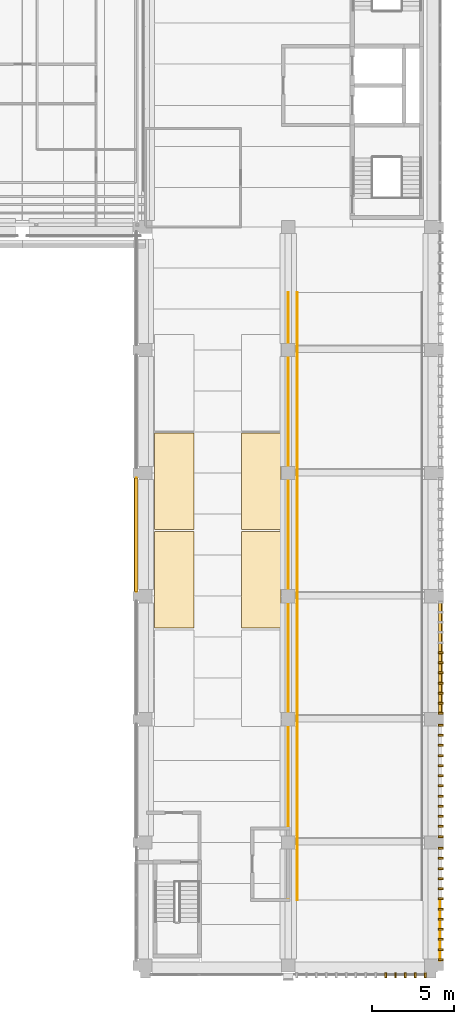
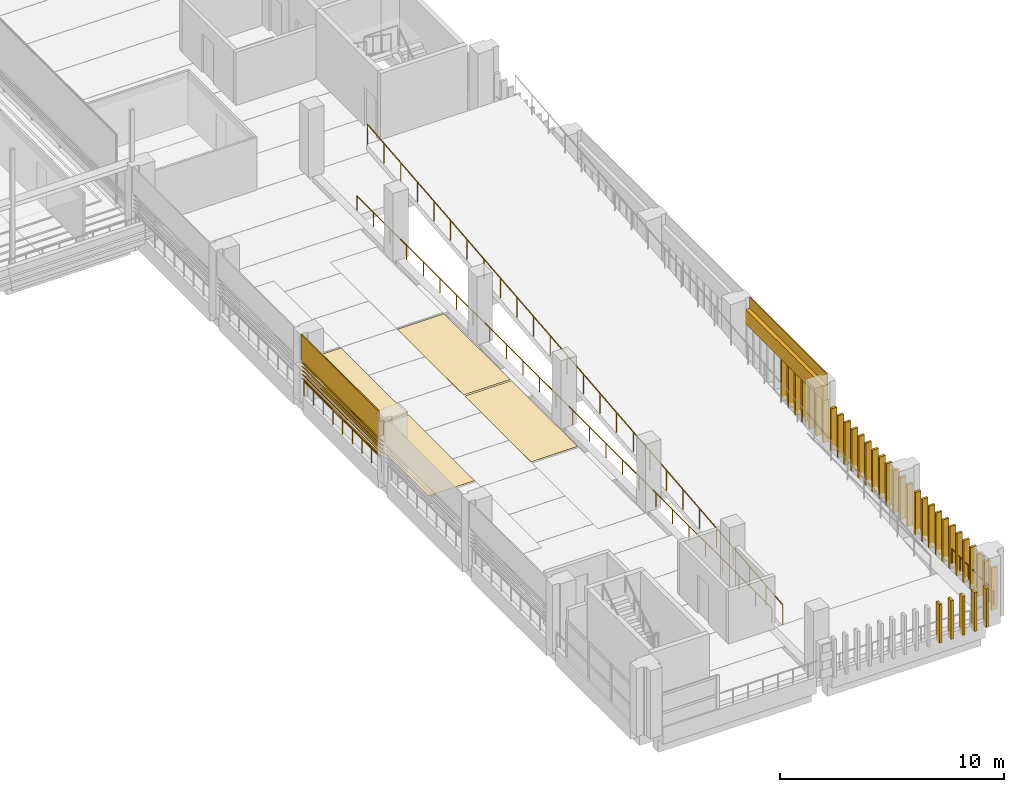
# One storey, part 55 of 62: 42 coverings, 5 shading devices, 4 railings.
"""IFC4 building model written with IfcOpenShell, lengths in metres."""

from ifc_helpers import new_model, si_unit, direction, frame, origin, origin_2d, place, context, subcontext, project, spatial, polyline, circle, outline, extrude, material, layer, layer_set, type_object, element, save


model = new_model("IFC4")

# Units and contexts
model_context = context("Model", 3, precision=1e-05, world=origin(), true_north=direction((0.0, 1.0)))
body_context = subcontext(model_context, "Body", "Model", "MODEL_VIEW")
ifc_project = project(units=[si_unit("LENGTHUNIT", "METRE"), si_unit("AREAUNIT", "SQUARE_METRE"), si_unit("VOLUMEUNIT", "CUBIC_METRE"), si_unit("PLANEANGLEUNIT", "RADIAN"), si_unit("MASSUNIT", "GRAM", prefix="KILO")], contexts=[model_context])

# Site, building, storey
site_placement = place(None, origin())
site = spatial("IfcSite", under=ifc_project, at=site_placement, CompositionType="ELEMENT")
building_placement = place(site_placement, origin())
building = spatial("IfcBuilding", under=site, at=building_placement, Name="Cour d'Honneur Mobility Palace", CompositionType="ELEMENT")
storey_placement = place(building_placement, frame((0.0, 0.0, 19.300048828125)))
storey = spatial("IfcBuildingStorey", under=building, at=storey_placement, Name="L05", CompositionType="ELEMENT", Elevation=19.300048828125)

# Railings
ifc_material_1 = material(Name="Painted steel", Category="steel")
railing_type_1 = type_object("IfcRailingType", Name="Balustrade", PredefinedType="BALUSTRADE", material=ifc_material_1)
railing_1_placement = place(storey_placement, frame((144.35009765625, 29.699951171875, 0.300048828125)))
element("IfcRailing", 1, at=railing_1_placement, inside=storey, type_object=railing_type_1, Name="Balustrade BAL-285", PredefinedType="BALUSTRADE", context=body_context, shape_type="SweptSolid", body=[
    extrude(circle(Radius=0.02392578125, at=origin_2d()), frame((0.0, 0.0, 0.77587890625), z_axis=(0.0, -1.0, 0.0), x_axis=(1.0, 0.0, 0.0)), (0.0, 0.0, 1.0), 6.89990234375),
    extrude(circle(Radius=0.02099609375, at=origin_2d()), origin(), (0.0, 0.0, 1.0), 0.751953125),
    extrude(circle(Radius=0.02099609375, at=origin_2d()), frame((0.0, -0.862548828125, 0.0)), (0.0, 0.0, 1.0), 0.751953125),
    extrude(circle(Radius=0.02099609375, at=origin_2d()), frame((0.0, -1.72509765625, 0.0)), (0.0, 0.0, 1.0), 0.751953125),
    extrude(circle(Radius=0.02099609375, at=origin_2d()), frame((0.0, -2.58740234375, 0.0)), (0.0, 0.0, 1.0), 0.751953125),
    extrude(circle(Radius=0.02099609375, at=origin_2d()), frame((0.0, -3.449951171875, 0.0)), (0.0, 0.0, 1.0), 0.751953125),
    extrude(circle(Radius=0.02099609375, at=origin_2d()), frame((0.0, -4.3125, 0.0)), (0.0, 0.0, 1.0), 0.751953125),
    extrude(circle(Radius=0.02099609375, at=origin_2d()), frame((0.0, -5.1748046875, 0.0)), (0.0, 0.0, 1.0), 0.751953125),
    extrude(circle(Radius=0.02099609375, at=origin_2d()), frame((0.0, -6.037353515625, 0.0)), (0.0, 0.0, 1.0), 0.751953125),
    extrude(circle(Radius=0.02099609375, at=origin_2d()), frame((0.0, -6.89990234375, 0.0)), (0.0, 0.0, 1.0), 0.751953125),
])
railing_2_placement = place(storey_placement, frame((162.85009765625, 0.300048828125, 0.300048828125)))
element("IfcRailing", 2, at=railing_2_placement, inside=storey, type_object=railing_type_1, Name="Balustrade BAL-291", PredefinedType="BALUSTRADE", context=body_context, shape_type="SweptSolid", body=[
    extrude(circle(Radius=0.02392578125, at=origin_2d()), frame((0.0, 0.0, 0.77587890625), z_axis=(0.0, 1.0, 0.0), x_axis=(-1.0, 0.0, 0.0)), (0.0, 0.0, 1.0), 3.699951171875),
    extrude(circle(Radius=0.02099609375, at=origin_2d()), origin(), (0.0, 0.0, 1.0), 0.751953125),
    extrude(circle(Radius=0.02099609375, at=origin_2d()), frame((0.0, 0.739990234375, 0.0)), (0.0, 0.0, 1.0), 0.751953125),
    extrude(circle(Radius=0.02099609375, at=origin_2d()), frame((0.0, 1.47998046875, 0.0)), (0.0, 0.0, 1.0), 0.751953125),
    extrude(circle(Radius=0.02099609375, at=origin_2d()), frame((0.0, 2.219970703125, 0.0)), (0.0, 0.0, 1.0), 0.751953125),
    extrude(circle(Radius=0.02099609375, at=origin_2d()), frame((0.0, 2.9599609375, 0.0)), (0.0, 0.0, 1.0), 0.751953125),
    extrude(circle(Radius=0.02099609375, at=origin_2d()), frame((0.0, 3.699951171875, 0.0)), (0.0, 0.0, 1.0), 0.751953125),
])

# Coverings
ifc_material_2 = material(Name="Parking marking paint")
ifc_layer_1 = layer(ifc_material_2, 0.0048828125)
ifc_layer_set_1 = layer_set([ifc_layer_1], Name="Parking marking paint")
covering_type_1 = type_object("IfcCoveringType", Name="Parking bay marking", PredefinedType="FLOORING", material=ifc_layer_set_1)
covering_1_placement = place(storey_placement, origin())
element("IfcCovering", 3, at=covering_1_placement, inside=storey, type_object=covering_type_1, Name="Parking bay marking L05 2", PredefinedType="FLOORING", context=body_context, shape_type="SweptSolid", body=[
    extrude(outline(polyline([(153.14990234375, 20.550048828125), (150.75, 20.550048828125), (150.75, 26.449951171875), (153.14990234375, 26.449951171875), (153.14990234375, 20.550048828125)])), origin(), (0.0, 0.0, 1.0), 0.0048828125),
])
covering_2_placement = place(storey_placement, origin())
element("IfcCovering", 4, at=covering_2_placement, inside=storey, type_object=covering_type_1, Name="Parking bay marking L05 3", PredefinedType="FLOORING", context=body_context, shape_type="SweptSolid", body=[
    extrude(outline(polyline([(153.14990234375, 26.550048828125), (150.75, 26.550048828125), (150.75, 32.449951171875), (153.14990234375, 32.449951171875), (153.14990234375, 26.550048828125)])), origin(), (0.0, 0.0, 1.0), 0.0048828125),
])
covering_3_placement = place(storey_placement, origin())
element("IfcCovering", 5, at=covering_3_placement, inside=storey, type_object=covering_type_1, Name="Parking bay marking L05 6", PredefinedType="FLOORING", context=body_context, shape_type="SweptSolid", body=[
    extrude(outline(polyline([(147.85009765625, 20.550048828125), (145.449951171875, 20.550048828125), (145.449951171875, 26.449951171875), (147.85009765625, 26.449951171875), (147.85009765625, 20.550048828125)])), origin(), (0.0, 0.0, 1.0), 0.0048828125),
])
covering_4_placement = place(storey_placement, origin())
element("IfcCovering", 6, at=covering_4_placement, inside=storey, type_object=covering_type_1, Name="Parking bay marking L05 7", PredefinedType="FLOORING", context=body_context, shape_type="SweptSolid", body=[
    extrude(outline(polyline([(147.85009765625, 26.550048828125), (145.449951171875, 26.550048828125), (145.449951171875, 32.449951171875), (147.85009765625, 32.449951171875), (147.85009765625, 26.550048828125)])), origin(), (0.0, 0.0, 1.0), 0.0048828125),
])

# Railing
ifc_material_3 = material(Name="Painted steel", Category="steel")
railing_type_2 = type_object("IfcRailingType", Name="Ramp guard 1100", PredefinedType="GUARDRAIL", material=ifc_material_3)
railing_3_placement = place(storey_placement, frame((154.14990234375, 4.0, 0.0)))
element("IfcRailing", 7, at=railing_3_placement, inside=storey, type_object=railing_type_2, Name="Ramp guard Ramp East 6", PredefinedType="GUARDRAIL", context=body_context, shape_type="SweptSolid", body=[
    extrude(circle(Radius=0.02490234375, at=origin_2d()), frame((0.0, 0.0, 1.0751953125), z_axis=(0.0, 0.995037320222, 0.099502418892), x_axis=(-1.0, 0.0, 0.0)), (0.0, 0.0, 1.0), 37.1845703125),
    extrude(circle(Radius=0.02099609375, at=origin_2d()), origin(), (0.0, 0.0, 1.0), 1.050048828125),
    extrude(circle(Radius=0.02099609375, at=origin_2d()), frame((0.0, 1.47998046875, 0.14794921875)), (0.0, 0.0, 1.0), 1.050048828125),
    extrude(circle(Radius=0.02099609375, at=origin_2d()), frame((0.0, 2.9599609375, 0.2958984375)), (0.0, 0.0, 1.0), 1.050048828125),
    extrude(circle(Radius=0.02099609375, at=origin_2d()), frame((0.0, 4.43994140625, 0.444091796875)), (0.0, 0.0, 1.0), 1.050048828125),
    extrude(circle(Radius=0.02099609375, at=origin_2d()), frame((0.0, 5.919921875, 0.592041015625)), (0.0, 0.0, 1.0), 1.050048828125),
    extrude(circle(Radius=0.02099609375, at=origin_2d()), frame((0.0, 7.39990234375, 0.739990234375)), (0.0, 0.0, 1.0), 1.050048828125),
    extrude(circle(Radius=0.02099609375, at=origin_2d()), frame((0.0, 8.8798828125, 0.887939453125)), (0.0, 0.0, 1.0), 1.050048828125),
    extrude(circle(Radius=0.02099609375, at=origin_2d()), frame((0.0, 10.360107421875, 1.035888671875)), (0.0, 0.0, 1.0), 1.050048828125),
    extrude(circle(Radius=0.02099609375, at=origin_2d()), frame((0.0, 11.840087890625, 1.18408203125)), (0.0, 0.0, 1.0), 1.050048828125),
    extrude(circle(Radius=0.02099609375, at=origin_2d()), frame((0.0, 13.320068359375, 1.33203125)), (0.0, 0.0, 1.0), 1.050048828125),
    extrude(circle(Radius=0.02099609375, at=origin_2d()), frame((0.0, 14.800048828125, 1.47998046875)), (0.0, 0.0, 1.0), 1.050048828125),
    extrude(circle(Radius=0.02099609375, at=origin_2d()), frame((0.0, 16.280029296875, 1.6279296875)), (0.0, 0.0, 1.0), 1.050048828125),
    extrude(circle(Radius=0.02099609375, at=origin_2d()), frame((0.0, 17.760009765625, 1.77587890625)), (0.0, 0.0, 1.0), 1.050048828125),
    extrude(circle(Radius=0.02099609375, at=origin_2d()), frame((0.0, 19.239990234375, 1.924072265625)), (0.0, 0.0, 1.0), 1.050048828125),
    extrude(circle(Radius=0.02099609375, at=origin_2d()), frame((0.0, 20.719970703125, 2.072021484375)), (0.0, 0.0, 1.0), 1.050048828125),
    extrude(circle(Radius=0.02099609375, at=origin_2d()), frame((0.0, 22.199951171875, 2.219970703125)), (0.0, 0.0, 1.0), 1.050048828125),
    extrude(circle(Radius=0.02099609375, at=origin_2d()), frame((0.0, 23.679931640625, 2.367919921875)), (0.0, 0.0, 1.0), 1.050048828125),
    extrude(circle(Radius=0.02099609375, at=origin_2d()), frame((0.0, 25.159912109375, 2.515869140625)), (0.0, 0.0, 1.0), 1.050048828125),
    extrude(circle(Radius=0.02099609375, at=origin_2d()), frame((0.0, 26.639892578125, 2.6640625)), (0.0, 0.0, 1.0), 1.050048828125),
    extrude(circle(Radius=0.02099609375, at=origin_2d()), frame((0.0, 28.1201171875, 2.81201171875)), (0.0, 0.0, 1.0), 1.050048828125),
    extrude(circle(Radius=0.02099609375, at=origin_2d()), frame((0.0, 29.60009765625, 2.9599609375)), (0.0, 0.0, 1.0), 1.050048828125),
    extrude(circle(Radius=0.02099609375, at=origin_2d()), frame((0.0, 31.080078125, 3.10791015625)), (0.0, 0.0, 1.0), 1.050048828125),
    extrude(circle(Radius=0.02099609375, at=origin_2d()), frame((0.0, 32.56005859375, 3.255859375)), (0.0, 0.0, 1.0), 1.050048828125),
    extrude(circle(Radius=0.02099609375, at=origin_2d()), frame((0.0, 34.0400390625, 3.404052734375)), (0.0, 0.0, 1.0), 1.050048828125),
    extrude(circle(Radius=0.02099609375, at=origin_2d()), frame((0.0, 35.52001953125, 3.552001953125)), (0.0, 0.0, 1.0), 1.050048828125),
    extrude(circle(Radius=0.02099609375, at=origin_2d()), frame((0.0, 37.0, 3.699951171875)), (0.0, 0.0, 1.0), 1.050048828125),
])

# Coverings
ifc_material_4 = material(Name="Cast limestone", Category="masonry")
ifc_layer_2 = layer(ifc_material_4, 0.1201171875)
ifc_layer_set_2 = layer_set([ifc_layer_2], Name="Cast limestone")
covering_type_2 = type_object("IfcCoveringType", Name="Ramp screen fin", PredefinedType="CLADDING", material=ifc_layer_set_2)
covering_5_placement = place(storey_placement, origin())
element("IfcCovering", 8, at=covering_5_placement, inside=storey, type_object=covering_type_2, Name="Ramp screen fin E4.0 L05 1", PredefinedType="CLADDING", context=body_context, shape_type="SweptSolid", body=[
    extrude(outline(polyline([(162.75, 0.300048828125), (162.75, 0.419921875), (163.050048828125, 0.419921875), (163.050048828125, 0.300048828125), (162.75, 0.300048828125)])), origin(), (0.0, 0.0, 1.0), 2.300048828125),
])
covering_6_placement = place(storey_placement, origin())
element("IfcCovering", 9, at=covering_6_placement, inside=storey, type_object=covering_type_2, Name="Ramp screen fin E4.0 L05 2", PredefinedType="CLADDING", context=body_context, shape_type="SweptSolid", body=[
    extrude(outline(polyline([(162.75, 0.916259765625), (162.75, 1.036376953125), (163.050048828125, 1.036376953125), (163.050048828125, 0.916259765625), (162.75, 0.916259765625)])), origin(), (0.0, 0.0, 1.0), 2.300048828125),
])
covering_7_placement = place(storey_placement, origin())
element("IfcCovering", 10, at=covering_7_placement, inside=storey, type_object=covering_type_2, Name="Ramp screen fin E4.0 L05 3", PredefinedType="CLADDING", context=body_context, shape_type="SweptSolid", body=[
    extrude(outline(polyline([(162.75, 1.53271484375), (162.75, 1.65283203125), (163.050048828125, 1.65283203125), (163.050048828125, 1.53271484375), (162.75, 1.53271484375)])), origin(), (0.0, 0.0, 1.0), 2.300048828125),
])
covering_8_placement = place(storey_placement, origin())
element("IfcCovering", 11, at=covering_8_placement, inside=storey, type_object=covering_type_2, Name="Ramp screen fin E4.0 L05 4", PredefinedType="CLADDING", context=body_context, shape_type="SweptSolid", body=[
    extrude(outline(polyline([(162.75, 2.149169921875), (162.75, 2.26904296875), (163.050048828125, 2.26904296875), (163.050048828125, 2.149169921875), (162.75, 2.149169921875)])), origin(), (0.0, 0.0, 1.0), 2.300048828125),
])
covering_9_placement = place(storey_placement, origin())
element("IfcCovering", 12, at=covering_9_placement, inside=storey, type_object=covering_type_2, Name="Ramp screen fin E4.0 L05 5", PredefinedType="CLADDING", context=body_context, shape_type="SweptSolid", body=[
    extrude(outline(polyline([(162.75, 2.765380859375), (162.75, 2.885498046875), (163.050048828125, 2.885498046875), (163.050048828125, 2.765380859375), (162.75, 2.765380859375)])), origin(), (0.0, 0.0, 1.0), 2.300048828125),
])
covering_10_placement = place(storey_placement, origin())
element("IfcCovering", 13, at=covering_10_placement, inside=storey, type_object=covering_type_2, Name="Ramp screen fin E4.0 L05 6", PredefinedType="CLADDING", context=body_context, shape_type="SweptSolid", body=[
    extrude(outline(polyline([(162.75, 3.3818359375), (162.75, 3.501708984375), (163.050048828125, 3.501708984375), (163.050048828125, 3.3818359375), (162.75, 3.3818359375)])), origin(), (0.0, 0.0, 1.0), 2.300048828125),
])
covering_11_placement = place(storey_placement, origin())
element("IfcCovering", 14, at=covering_11_placement, inside=storey, type_object=covering_type_2, Name="Ramp screen fin E4.0 L05 7", PredefinedType="CLADDING", context=body_context, shape_type="SweptSolid", body=[
    extrude(outline(polyline([(162.75, 3.998291015625), (162.75, 4.1181640625), (163.050048828125, 4.1181640625), (163.050048828125, 3.998291015625), (162.75, 3.998291015625)])), origin(), (0.0, 0.0, 1.0), 2.300048828125),
])
covering_12_placement = place(storey_placement, origin())
element("IfcCovering", 15, at=covering_12_placement, inside=storey, type_object=covering_type_2, Name="Ramp screen fin E4.0 L05 8", PredefinedType="CLADDING", context=body_context, shape_type="SweptSolid", body=[
    extrude(outline(polyline([(162.75, 4.614501953125), (162.75, 4.734619140625), (163.050048828125, 4.734619140625), (163.050048828125, 4.614501953125), (162.75, 4.614501953125)])), origin(), (0.0, 0.0, 1.0), 2.300048828125),
])
covering_13_placement = place(storey_placement, origin())
element("IfcCovering", 16, at=covering_13_placement, inside=storey, type_object=covering_type_2, Name="Ramp screen fin E4.0 L05 9", PredefinedType="CLADDING", context=body_context, shape_type="SweptSolid", body=[
    extrude(outline(polyline([(162.75, 5.23095703125), (162.75, 5.350830078125), (163.050048828125, 5.350830078125), (163.050048828125, 5.23095703125), (162.75, 5.23095703125)])), origin(), (0.0, 0.0, 1.0), 2.300048828125),
])
covering_14_placement = place(storey_placement, origin())
element("IfcCovering", 17, at=covering_14_placement, inside=storey, type_object=covering_type_2, Name="Ramp screen fin E4.0 L05 10", PredefinedType="CLADDING", context=body_context, shape_type="SweptSolid", body=[
    extrude(outline(polyline([(162.75, 5.84716796875), (162.75, 5.96728515625), (163.050048828125, 5.96728515625), (163.050048828125, 5.84716796875), (162.75, 5.84716796875)])), origin(), (0.0, 0.0, 1.0), 2.300048828125),
])
covering_15_placement = place(storey_placement, origin())
element("IfcCovering", 18, at=covering_15_placement, inside=storey, type_object=covering_type_2, Name="Ramp screen fin E4.0 L05 11", PredefinedType="CLADDING", context=body_context, shape_type="SweptSolid", body=[
    extrude(outline(polyline([(162.75, 6.463623046875), (162.75, 6.583740234375), (163.050048828125, 6.583740234375), (163.050048828125, 6.463623046875), (162.75, 6.463623046875)])), origin(), (0.0, 0.0, 1.0), 2.300048828125),
])
covering_16_placement = place(storey_placement, origin())
element("IfcCovering", 19, at=covering_16_placement, inside=storey, type_object=covering_type_2, Name="Ramp screen fin E4.0 L05 12", PredefinedType="CLADDING", context=body_context, shape_type="SweptSolid", body=[
    extrude(outline(polyline([(162.75, 7.080078125), (162.75, 7.199951171875), (163.050048828125, 7.199951171875), (163.050048828125, 7.080078125), (162.75, 7.080078125)])), origin(), (0.0, 0.0, 1.0), 2.300048828125),
])
covering_17_placement = place(storey_placement, origin())
element("IfcCovering", 20, at=covering_17_placement, inside=storey, type_object=covering_type_2, Name="Ramp screen fin E4.1 L05 1", PredefinedType="CLADDING", context=body_context, shape_type="SweptSolid", body=[
    extrude(outline(polyline([(162.75, 7.800048828125), (162.75, 7.919921875), (163.050048828125, 7.919921875), (163.050048828125, 7.800048828125), (162.75, 7.800048828125)])), origin(), (0.0, 0.0, 1.0), 2.300048828125),
])
covering_18_placement = place(storey_placement, origin())
element("IfcCovering", 21, at=covering_18_placement, inside=storey, type_object=covering_type_2, Name="Ramp screen fin E4.1 L05 2", PredefinedType="CLADDING", context=body_context, shape_type="SweptSolid", body=[
    extrude(outline(polyline([(162.75, 8.416259765625), (162.75, 8.536376953125), (163.050048828125, 8.536376953125), (163.050048828125, 8.416259765625), (162.75, 8.416259765625)])), origin(), (0.0, 0.0, 1.0), 2.300048828125),
])
covering_19_placement = place(storey_placement, origin())
element("IfcCovering", 22, at=covering_19_placement, inside=storey, type_object=covering_type_2, Name="Ramp screen fin E4.1 L05 3", PredefinedType="CLADDING", context=body_context, shape_type="SweptSolid", body=[
    extrude(outline(polyline([(162.75, 9.03271484375), (162.75, 9.15283203125), (163.050048828125, 9.15283203125), (163.050048828125, 9.03271484375), (162.75, 9.03271484375)])), origin(), (0.0, 0.0, 1.0), 2.300048828125),
])
covering_20_placement = place(storey_placement, origin())
element("IfcCovering", 23, at=covering_20_placement, inside=storey, type_object=covering_type_2, Name="Ramp screen fin E4.1 L05 4", PredefinedType="CLADDING", context=body_context, shape_type="SweptSolid", body=[
    extrude(outline(polyline([(162.75, 9.649169921875), (162.75, 9.76904296875), (163.050048828125, 9.76904296875), (163.050048828125, 9.649169921875), (162.75, 9.649169921875)])), origin(), (0.0, 0.0, 1.0), 2.300048828125),
])
covering_21_placement = place(storey_placement, origin())
element("IfcCovering", 24, at=covering_21_placement, inside=storey, type_object=covering_type_2, Name="Ramp screen fin E4.1 L05 5", PredefinedType="CLADDING", context=body_context, shape_type="SweptSolid", body=[
    extrude(outline(polyline([(162.75, 10.265380859375), (162.75, 10.385498046875), (163.050048828125, 10.385498046875), (163.050048828125, 10.265380859375), (162.75, 10.265380859375)])), origin(), (0.0, 0.0, 1.0), 2.300048828125),
])
covering_22_placement = place(storey_placement, origin())
element("IfcCovering", 25, at=covering_22_placement, inside=storey, type_object=covering_type_2, Name="Ramp screen fin E4.1 L05 6", PredefinedType="CLADDING", context=body_context, shape_type="SweptSolid", body=[
    extrude(outline(polyline([(162.75, 10.8818359375), (162.75, 11.001708984375), (163.050048828125, 11.001708984375), (163.050048828125, 10.8818359375), (162.75, 10.8818359375)])), origin(), (0.0, 0.0, 1.0), 2.300048828125),
])
covering_23_placement = place(storey_placement, origin())
element("IfcCovering", 26, at=covering_23_placement, inside=storey, type_object=covering_type_2, Name="Ramp screen fin E4.1 L05 7", PredefinedType="CLADDING", context=body_context, shape_type="SweptSolid", body=[
    extrude(outline(polyline([(162.75, 11.498291015625), (162.75, 11.6181640625), (163.050048828125, 11.6181640625), (163.050048828125, 11.498291015625), (162.75, 11.498291015625)])), origin(), (0.0, 0.0, 1.0), 2.300048828125),
])
covering_24_placement = place(storey_placement, origin())
element("IfcCovering", 27, at=covering_24_placement, inside=storey, type_object=covering_type_2, Name="Ramp screen fin E4.1 L05 8", PredefinedType="CLADDING", context=body_context, shape_type="SweptSolid", body=[
    extrude(outline(polyline([(162.75, 12.114501953125), (162.75, 12.234619140625), (163.050048828125, 12.234619140625), (163.050048828125, 12.114501953125), (162.75, 12.114501953125)])), origin(), (0.0, 0.0, 1.0), 2.300048828125),
])
covering_25_placement = place(storey_placement, origin())
element("IfcCovering", 28, at=covering_25_placement, inside=storey, type_object=covering_type_2, Name="Ramp screen fin E4.1 L05 9", PredefinedType="CLADDING", context=body_context, shape_type="SweptSolid", body=[
    extrude(outline(polyline([(162.75, 12.73095703125), (162.75, 12.850830078125), (163.050048828125, 12.850830078125), (163.050048828125, 12.73095703125), (162.75, 12.73095703125)])), origin(), (0.0, 0.0, 1.0), 2.300048828125),
])
covering_26_placement = place(storey_placement, origin())
element("IfcCovering", 29, at=covering_26_placement, inside=storey, type_object=covering_type_2, Name="Ramp screen fin E4.1 L05 10", PredefinedType="CLADDING", context=body_context, shape_type="SweptSolid", body=[
    extrude(outline(polyline([(162.75, 13.34716796875), (162.75, 13.46728515625), (163.050048828125, 13.46728515625), (163.050048828125, 13.34716796875), (162.75, 13.34716796875)])), origin(), (0.0, 0.0, 1.0), 2.300048828125),
])
covering_27_placement = place(storey_placement, origin())
element("IfcCovering", 30, at=covering_27_placement, inside=storey, type_object=covering_type_2, Name="Ramp screen fin E4.1 L05 11", PredefinedType="CLADDING", context=body_context, shape_type="SweptSolid", body=[
    extrude(outline(polyline([(162.75, 13.963623046875), (162.75, 14.083740234375), (163.050048828125, 14.083740234375), (163.050048828125, 13.963623046875), (162.75, 13.963623046875)])), origin(), (0.0, 0.0, 1.0), 2.300048828125),
])
covering_28_placement = place(storey_placement, origin())
element("IfcCovering", 31, at=covering_28_placement, inside=storey, type_object=covering_type_2, Name="Ramp screen fin E4.1 L05 12", PredefinedType="CLADDING", context=body_context, shape_type="SweptSolid", body=[
    extrude(outline(polyline([(162.75, 14.580078125), (162.75, 14.699951171875), (163.050048828125, 14.699951171875), (163.050048828125, 14.580078125), (162.75, 14.580078125)])), origin(), (0.0, 0.0, 1.0), 2.300048828125),
])
covering_29_placement = place(storey_placement, origin())
element("IfcCovering", 32, at=covering_29_placement, inside=storey, type_object=covering_type_2, Name="Ramp screen fin E4.2 L05 1", PredefinedType="CLADDING", context=body_context, shape_type="SweptSolid", body=[
    extrude(outline(polyline([(162.75, 15.300048828125), (162.75, 15.419921875), (163.050048828125, 15.419921875), (163.050048828125, 15.300048828125), (162.75, 15.300048828125)])), origin(), (0.0, 0.0, 1.0), 2.300048828125),
])
covering_30_placement = place(storey_placement, origin())
element("IfcCovering", 33, at=covering_30_placement, inside=storey, type_object=covering_type_2, Name="Ramp screen fin E4.2 L05 2", PredefinedType="CLADDING", context=body_context, shape_type="SweptSolid", body=[
    extrude(outline(polyline([(162.75, 15.916259765625), (162.75, 16.036376953125), (163.050048828125, 16.036376953125), (163.050048828125, 15.916259765625), (162.75, 15.916259765625)])), origin(), (0.0, 0.0, 1.0), 2.300048828125),
])
covering_31_placement = place(storey_placement, origin())
element("IfcCovering", 34, at=covering_31_placement, inside=storey, type_object=covering_type_2, Name="Ramp screen fin E4.2 L05 3", PredefinedType="CLADDING", context=body_context, shape_type="SweptSolid", body=[
    extrude(outline(polyline([(162.75, 16.53271484375), (162.75, 16.65283203125), (163.050048828125, 16.65283203125), (163.050048828125, 16.53271484375), (162.75, 16.53271484375)])), origin(), (0.0, 0.0, 1.0), 2.300048828125),
])
covering_32_placement = place(storey_placement, origin())
element("IfcCovering", 35, at=covering_32_placement, inside=storey, type_object=covering_type_2, Name="Ramp screen fin E4.2 L05 4", PredefinedType="CLADDING", context=body_context, shape_type="SweptSolid", body=[
    extrude(outline(polyline([(162.75, 17.149169921875), (162.75, 17.26904296875), (163.050048828125, 17.26904296875), (163.050048828125, 17.149169921875), (162.75, 17.149169921875)])), origin(), (0.0, 0.0, 1.0), 2.300048828125),
])
covering_33_placement = place(storey_placement, origin())
element("IfcCovering", 36, at=covering_33_placement, inside=storey, type_object=covering_type_2, Name="Ramp screen fin E4.2 L05 5", PredefinedType="CLADDING", context=body_context, shape_type="SweptSolid", body=[
    extrude(outline(polyline([(162.75, 17.765380859375), (162.75, 17.885498046875), (163.050048828125, 17.885498046875), (163.050048828125, 17.765380859375), (162.75, 17.765380859375)])), origin(), (0.0, 0.0, 1.0), 2.300048828125),
])
covering_34_placement = place(storey_placement, origin())
element("IfcCovering", 37, at=covering_34_placement, inside=storey, type_object=covering_type_2, Name="Ramp screen fin E4.2 L05 6", PredefinedType="CLADDING", context=body_context, shape_type="SweptSolid", body=[
    extrude(outline(polyline([(162.75, 18.3818359375), (162.75, 18.501708984375), (163.050048828125, 18.501708984375), (163.050048828125, 18.3818359375), (162.75, 18.3818359375)])), origin(), (0.0, 0.0, 1.0), 2.300048828125),
])
covering_35_placement = place(storey_placement, origin())
element("IfcCovering", 38, at=covering_35_placement, inside=storey, type_object=covering_type_2, Name="Ramp screen fin E4.2 L05 7", PredefinedType="CLADDING", context=body_context, shape_type="SweptSolid", body=[
    extrude(outline(polyline([(162.75, 18.998291015625), (162.75, 19.1181640625), (163.050048828125, 19.1181640625), (163.050048828125, 18.998291015625), (162.75, 18.998291015625)])), origin(), (0.0, 0.0, 1.0), 2.300048828125),
])
covering_36_placement = place(storey_placement, origin())
element("IfcCovering", 39, at=covering_36_placement, inside=storey, type_object=covering_type_2, Name="Ramp screen fin S7.1 L05 10", PredefinedType="CLADDING", context=body_context, shape_type="SweptSolid", body=[
    extrude(outline(polyline([(159.470703125, -0.449951171875), (159.5908203125, -0.449951171875), (159.5908203125, -0.75), (159.470703125, -0.75), (159.470703125, -0.449951171875)])), origin(), (0.0, 0.0, 1.0), 2.099853515625),
])
covering_37_placement = place(storey_placement, origin())
element("IfcCovering", 40, at=covering_37_placement, inside=storey, type_object=covering_type_2, Name="Ramp screen fin S7.1 L05 11", PredefinedType="CLADDING", context=body_context, shape_type="SweptSolid", body=[
    extrude(outline(polyline([(160.072998046875, -0.449951171875), (160.193115234375, -0.449951171875), (160.193115234375, -0.75), (160.072998046875, -0.75), (160.072998046875, -0.449951171875)])), origin(), (0.0, 0.0, 1.0), 2.099853515625),
])
covering_38_placement = place(storey_placement, origin())
element("IfcCovering", 41, at=covering_38_placement, inside=storey, type_object=covering_type_2, Name="Ramp screen fin S7.1 L05 12", PredefinedType="CLADDING", context=body_context, shape_type="SweptSolid", body=[
    extrude(outline(polyline([(160.67529296875, -0.449951171875), (160.79541015625, -0.449951171875), (160.79541015625, -0.75), (160.67529296875, -0.75), (160.67529296875, -0.449951171875)])), origin(), (0.0, 0.0, 1.0), 2.099853515625),
])
covering_39_placement = place(storey_placement, origin())
element("IfcCovering", 42, at=covering_39_placement, inside=storey, type_object=covering_type_2, Name="Ramp screen fin S7.1 L05 13", PredefinedType="CLADDING", context=body_context, shape_type="SweptSolid", body=[
    extrude(outline(polyline([(161.277587890625, -0.449951171875), (161.397705078125, -0.449951171875), (161.397705078125, -0.75), (161.277587890625, -0.75), (161.277587890625, -0.449951171875)])), origin(), (0.0, 0.0, 1.0), 2.099853515625),
])
covering_40_placement = place(storey_placement, origin())
element("IfcCovering", 43, at=covering_40_placement, inside=storey, type_object=covering_type_2, Name="Ramp screen fin S7.1 L05 14", PredefinedType="CLADDING", context=body_context, shape_type="SweptSolid", body=[
    extrude(outline(polyline([(161.8798828125, -0.449951171875), (162.0, -0.449951171875), (162.0, -0.75), (161.8798828125, -0.75), (161.8798828125, -0.449951171875)])), origin(), (0.0, 0.0, 1.0), 2.099853515625),
])
ifc_material_5 = material(Name="Cast limestone", Category="masonry")
ifc_layer_3 = layer(ifc_material_5, 0.25)
ifc_layer_set_3 = layer_set([ifc_layer_3], Name="Cast limestone")
covering_type_3 = type_object("IfcCoveringType", Name="Spandrel cladding", PredefinedType="CLADDING", material=ifc_layer_set_3)
for number, where, z_axis, x_axis, name in (
    (44, (162.75, 15.300048828125, 2.300048828125), (0.0, -1.0, 0.0), (1.0, 0.0, 0.0), "Spandrel cladding SK-353"),
    (45, (144.449951171875, 29.699951171875, 2.300048828125), (0.0, 1.0, 0.0), (-1.0, 0.0, 0.0), "Spandrel cladding SK-358"),
):
    element("IfcCovering", number, at=place(storey_placement, frame(where, z_axis=z_axis, x_axis=x_axis)), inside=storey, type_object=covering_type_3, Name=name, PredefinedType="CLADDING", context=body_context, shape_type="SweptSolid", body=[
        extrude(outline(polyline([(0.0, 0.0), (0.25, 0.0), (0.25, 1.39990234375), (0.199951171875, 1.39990234375), (0.199951171875, 0.7998046875), (0.0, 0.7998046875), (0.0, 0.0)])), origin(), (0.0, 0.0, -1.0), 6.89990234375),
    ])

# Shading devices
ifc_material_6 = material(Name="Terracotta", Category="masonry")
ifc_layer_4 = layer(ifc_material_6, 0.02490234375)
ifc_layer_set_4 = layer_set([ifc_layer_4], Name="Terracotta")
shading_device_type = type_object("IfcShadingDeviceType", Name="Terracotta louvre blade", PredefinedType="JALOUSIE", material=ifc_layer_set_4)
for number, where, z_axis, x_axis, name in (
    (46, (144.4560546875, 29.699951171875, 1.099853515625), (0.707106781187, 0.0, 0.707106781187), (0.0, -1.0, 0.0), "Louvre blade LV-1 W6.3 L05 1"),
    (47, (144.4560546875, 29.699951171875, 1.31201171875), (0.707106781187, 0.0, 0.707106781187), (0.0, -1.0, 0.0), "Louvre blade LV-1 W6.3 L05 2"),
    (48, (144.4560546875, 29.699951171875, 1.524169921875), (0.707106781187, 0.0, 0.707106781187), (0.0, -1.0, 0.0), "Louvre blade LV-1 W6.3 L05 3"),
    (49, (144.4560546875, 29.699951171875, 1.736328125), (0.707106781187, 0.0, 0.707106781187), (0.0, -1.0, 0.0), "Louvre blade LV-1 W6.3 L05 4"),
    (50, (144.4560546875, 29.699951171875, 1.948486328125), (0.707106781187, 0.0, 0.707106781187), (0.0, -1.0, 0.0), "Louvre blade LV-1 W6.3 L05 5"),
):
    element("IfcShadingDevice", number, at=place(storey_placement, frame(where, z_axis=z_axis, x_axis=x_axis)), inside=storey, type_object=shading_device_type, Name=name, PredefinedType="JALOUSIE", context=body_context, shape_type="SweptSolid", body=[
        extrude(outline(polyline([(0.0, 0.0), (6.89990234375, 0.0), (6.89990234375, -0.300037008228081), (0.0, -0.300037008228081), (0.0, 0.0)])), origin(), (0.0, 0.0, -1.0), 0.02490234375),
    ])

# Railing
ifc_material_7 = material(Name="Painted steel", Category="steel")
railing_type_3 = type_object("IfcRailingType", Name="Void edge guard 1100", PredefinedType="GUARDRAIL", material=ifc_material_7)
railing_4_placement = place(storey_placement, frame((153.60009765625, 4.0, 0.300048828125)))
element("IfcRailing", 51, at=railing_4_placement, inside=storey, type_object=railing_type_3, Name="Void edge guard SE L05", PredefinedType="GUARDRAIL", context=body_context, shape_type="SweptSolid", body=[
    extrude(circle(Radius=0.02490234375, at=origin_2d()), frame((0.0, 0.0, 0.77490234375), z_axis=(0.0, 1.0, 0.0), x_axis=(-1.0, 0.0, 0.0)), (0.0, 0.0, 1.0), 37.0),
    extrude(circle(Radius=0.02099609375, at=origin_2d()), origin(), (0.0, 0.0, 1.0), 0.75),
    extrude(circle(Radius=0.02099609375, at=origin_2d()), frame((0.0, 1.47998046875, 0.0)), (0.0, 0.0, 1.0), 0.75),
    extrude(circle(Radius=0.02099609375, at=origin_2d()), frame((0.0, 2.9599609375, 0.0)), (0.0, 0.0, 1.0), 0.75),
    extrude(circle(Radius=0.02099609375, at=origin_2d()), frame((0.0, 4.43994140625, 0.0)), (0.0, 0.0, 1.0), 0.75),
    extrude(circle(Radius=0.02099609375, at=origin_2d()), frame((0.0, 5.919921875, 0.0)), (0.0, 0.0, 1.0), 0.75),
    extrude(circle(Radius=0.02099609375, at=origin_2d()), frame((0.0, 7.39990234375, 0.0)), (0.0, 0.0, 1.0), 0.75),
    extrude(circle(Radius=0.02099609375, at=origin_2d()), frame((0.0, 8.8798828125, 0.0)), (0.0, 0.0, 1.0), 0.75),
    extrude(circle(Radius=0.02099609375, at=origin_2d()), frame((0.0, 10.360107421875, 0.0)), (0.0, 0.0, 1.0), 0.75),
    extrude(circle(Radius=0.02099609375, at=origin_2d()), frame((0.0, 11.840087890625, 0.0)), (0.0, 0.0, 1.0), 0.75),
    extrude(circle(Radius=0.02099609375, at=origin_2d()), frame((0.0, 13.320068359375, 0.0)), (0.0, 0.0, 1.0), 0.75),
    extrude(circle(Radius=0.02099609375, at=origin_2d()), frame((0.0, 14.800048828125, 0.0)), (0.0, 0.0, 1.0), 0.75),
    extrude(circle(Radius=0.02099609375, at=origin_2d()), frame((0.0, 16.280029296875, 0.0)), (0.0, 0.0, 1.0), 0.75),
    extrude(circle(Radius=0.02099609375, at=origin_2d()), frame((0.0, 17.760009765625, 0.0)), (0.0, 0.0, 1.0), 0.75),
    extrude(circle(Radius=0.02099609375, at=origin_2d()), frame((0.0, 19.239990234375, 0.0)), (0.0, 0.0, 1.0), 0.75),
    extrude(circle(Radius=0.02099609375, at=origin_2d()), frame((0.0, 20.719970703125, 0.0)), (0.0, 0.0, 1.0), 0.75),
    extrude(circle(Radius=0.02099609375, at=origin_2d()), frame((0.0, 22.199951171875, 0.0)), (0.0, 0.0, 1.0), 0.75),
    extrude(circle(Radius=0.02099609375, at=origin_2d()), frame((0.0, 23.679931640625, 0.0)), (0.0, 0.0, 1.0), 0.75),
    extrude(circle(Radius=0.02099609375, at=origin_2d()), frame((0.0, 25.159912109375, 0.0)), (0.0, 0.0, 1.0), 0.75),
    extrude(circle(Radius=0.02099609375, at=origin_2d()), frame((0.0, 26.639892578125, 0.0)), (0.0, 0.0, 1.0), 0.75),
    extrude(circle(Radius=0.02099609375, at=origin_2d()), frame((0.0, 28.1201171875, 0.0)), (0.0, 0.0, 1.0), 0.75),
    extrude(circle(Radius=0.02099609375, at=origin_2d()), frame((0.0, 29.60009765625, 0.0)), (0.0, 0.0, 1.0), 0.75),
    extrude(circle(Radius=0.02099609375, at=origin_2d()), frame((0.0, 31.080078125, 0.0)), (0.0, 0.0, 1.0), 0.75),
    extrude(circle(Radius=0.02099609375, at=origin_2d()), frame((0.0, 32.56005859375, 0.0)), (0.0, 0.0, 1.0), 0.75),
    extrude(circle(Radius=0.02099609375, at=origin_2d()), frame((0.0, 34.0400390625, 0.0)), (0.0, 0.0, 1.0), 0.75),
    extrude(circle(Radius=0.02099609375, at=origin_2d()), frame((0.0, 35.52001953125, 0.0)), (0.0, 0.0, 1.0), 0.75),
    extrude(circle(Radius=0.02099609375, at=origin_2d()), frame((0.0, 37.0, 0.0)), (0.0, 0.0, 1.0), 0.75),
])

save(model, "model.ifc")
